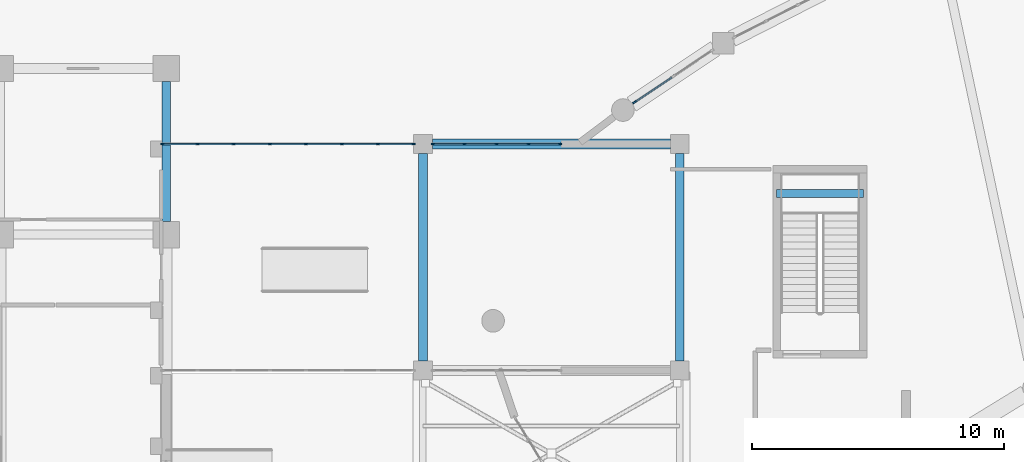
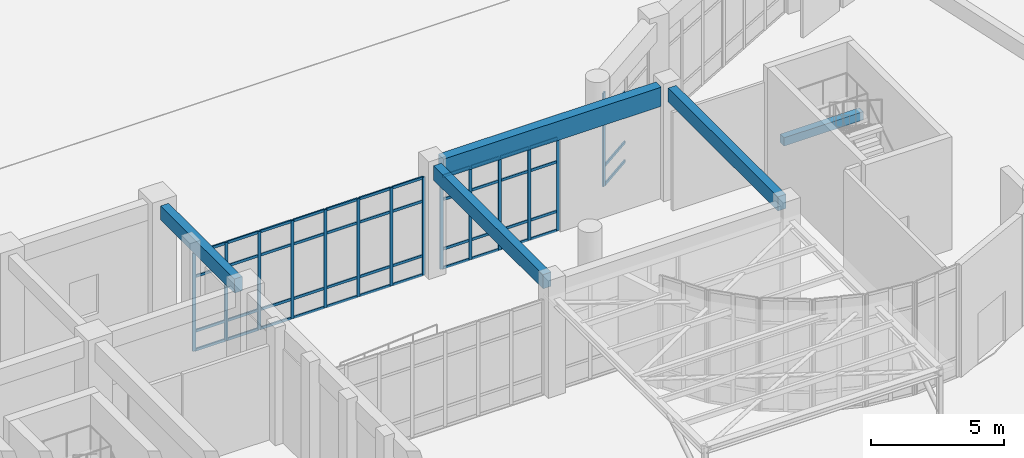
# One storey, part 11 of 70: 61 members, 5 beams, 3 elements without a shape of their own.
"""IFC4 building model written with IfcOpenShell, lengths in metres."""

from ifc_helpers import new_model, si_unit, direction, frame, origin, origin_2d, place, context, subcontext, project, spatial, rectangle, extrude, material, layer, layer_set, material_profile, profile_set, type_object, element, aggregate, save


model = new_model("IFC4")

# Units and contexts
model_context = context("Model", 3, precision=1e-05, world=origin(), true_north=direction((0.0, 1.0)))
body_context = subcontext(model_context, "Body", "Model", "MODEL_VIEW")
ifc_project = project(units=[si_unit("LENGTHUNIT", "METRE"), si_unit("AREAUNIT", "SQUARE_METRE"), si_unit("VOLUMEUNIT", "CUBIC_METRE"), si_unit("PLANEANGLEUNIT", "RADIAN"), si_unit("MASSUNIT", "GRAM", prefix="KILO")], contexts=[model_context])

# Site, building, storey
site_placement = place(None, origin())
site = spatial("IfcSite", under=ifc_project, at=site_placement, CompositionType="ELEMENT")
building_placement = place(site_placement, origin())
building = spatial("IfcBuilding", under=site, at=building_placement, Name="Miralva Faculty of Natural Sciences", CompositionType="ELEMENT")
storey_placement = place(building_placement, origin())
storey = spatial("IfcBuildingStorey", under=building, at=storey_placement, Name="L00", CompositionType="ELEMENT", Elevation=0.0)

# Beams
ifc_material_1 = material(Name="Concrete C40/50", Category="concrete")
ifc_material_profile_1 = material_profile(ifc_material_1, rectangle(XDim=0.35009765625, YDim=0.64990234375, at=origin_2d()), Name="RC 350x650")
ifc_profile_set_1 = profile_set([ifc_material_profile_1], Name="Concrete C40/50")
beam_type_1 = type_object("IfcBeamType", Name="BM-B05", PredefinedType="BEAM", material=ifc_profile_set_1)
beam_1_placement = place(storey_placement, frame((36.0, 23.925048828125, 4.8349609375), z_axis=(0.0, 1.0, 0.0), x_axis=(-1.0, 0.0, 0.0)))
element("IfcBeam", 1, at=beam_1_placement, inside=storey, type_object=beam_type_1, Name="Girder NS L00-160", PredefinedType="BEAM", context=body_context, shape_type="SweptSolid", body=[
    extrude(rectangle(XDim=0.35009765625, YDim=0.64990234375, at=origin_2d()), origin(), (0.0, 0.0, 1.0), 5.550048828125),
])
for number, where, z_axis, x_axis, name in (
    (2, (46.199951171875, 18.375, 4.8349609375), (0.0, 1.0, 0.0), (-1.0, 0.0, 0.0), "Girder NS L00-163"),
    (3, (56.39990234375, 18.375, 4.8349609375), (0.0, 1.0, 0.0), (-1.0, 0.0, 0.0), "Girder NS L00-166"),
):
    element("IfcBeam", number, at=place(storey_placement, frame(where, z_axis=z_axis, x_axis=x_axis)), inside=storey, type_object=beam_type_1, Name=name, PredefinedType="BEAM", context=body_context, shape_type="SweptSolid", body=[
        extrude(rectangle(XDim=0.35009765625, YDim=0.64990234375, at=origin_2d()), origin(), (0.0, 0.0, 1.0), 8.25),
    ])
ifc_material_profile_2 = material_profile(ifc_material_1, rectangle(XDim=0.39990234375, YDim=0.8798828125, at=origin_2d()), Name="RC 400x880")
ifc_profile_set_2 = profile_set([ifc_material_profile_2], Name="Concrete C40/50")
beam_type_2 = type_object("IfcBeamType", Name="BM-BG10", PredefinedType="BEAM", material=ifc_profile_set_2)
beam_2_placement = place(storey_placement, frame((46.574951171875, 27.0, 4.719970703125), z_axis=(1.0, 0.0, 0.0), x_axis=(0.0, 1.0, 0.0)))
element("IfcBeam", 4, at=beam_2_placement, inside=storey, type_object=beam_type_2, Name="Girder EW L00-31", PredefinedType="BEAM", context=body_context, shape_type="SweptSolid", body=[
    extrude(rectangle(XDim=0.39990234375, YDim=0.8798828125, at=origin_2d()), origin(), (0.0, 0.0, 1.0), 9.449951171875),
])
ifc_material_profile_3 = material_profile(ifc_material_1, rectangle(XDim=0.300048828125, YDim=0.3798828125, at=origin_2d()), Name="RC 300x380")
ifc_profile_set_3 = profile_set([ifc_material_profile_3], Name="Concrete C40/50")
beam_type_3 = type_object("IfcBeamType", Name="BM-LND01", PredefinedType="BEAM", material=ifc_profile_set_3)
beam_3_placement = place(storey_placement, frame((60.25, 25.034912109375, 2.320068359375), z_axis=(1.0, 0.0, 0.0), x_axis=(0.0, 1.0, 0.0)))
element("IfcBeam", 5, at=beam_3_placement, inside=storey, type_object=beam_type_3, Name="Stair Core C6 half-landing support beam L00", PredefinedType="BEAM", context=body_context, shape_type="SweptSolid", body=[
    extrude(rectangle(XDim=0.300048828125, YDim=0.3798828125, at=origin_2d()), origin(), (0.0, 0.0, 1.0), 3.449951171875),
])

# Curtain wall, member
ifc_material_2 = material(Name="Laminated solar-control glass", Category="glass")
ifc_layer_1 = layer(ifc_material_2, 0.179931640625, Name="CW-ARC-L00")
ifc_layer_set_1 = layer_set([ifc_layer_1], Name="Laminated solar-control glass")
curtain_wall_type_1 = type_object("IfcCurtainWallType", Name="CW-ARC-L00", PredefinedType="USERDEFINED", material=ifc_layer_set_1)
curtain_wall_1_placement = place(storey_placement, origin())
curtain_wall_1 = element("IfcCurtainWall", 6, at=curtain_wall_1_placement, inside=storey, type_object=curtain_wall_type_1, Name="Curtain wall CW-01 L00-1", ObjectType="UNITISED CURTAIN WALL", PredefinedType="USERDEFINED")
ifc_material_3 = material(Name="Anodised aluminium", Category="aluminium")
ifc_material_profile_4 = material_profile(ifc_material_3, rectangle(XDim=0.06494140625, YDim=0.159912109375, at=origin_2d()), Name="MULLION 65x160")
ifc_profile_set_4 = profile_set([ifc_material_profile_4], Name="Anodised aluminium")
member_type_1 = type_object("IfcMemberType", Name="CW-M02", PredefinedType="MULLION", material=ifc_profile_set_4)
member_1_placement = place(storey_placement, frame((54.608642578125, 28.65966796875, 0.0), z_axis=(0.0, 0.0, 1.0), x_axis=(-0.555563826036, 0.831473893276, 0.0)))
member_1 = element("IfcMember", 7, at=member_1_placement, type_object=member_type_1, Name="CW-01 mullion 1", PredefinedType="MULLION", context=body_context, shape_type="SweptSolid", body=[
    extrude(rectangle(XDim=0.06494140625, YDim=0.159912109375, at=origin_2d()), origin(), (0.0, 0.0, 1.0), 4.304931640625),
])

# Curtain wall, members
ifc_layer_2 = layer(ifc_material_2, 0.179931640625, Name="CW-COM-L01")
ifc_layer_set_2 = layer_set([ifc_layer_2], Name="Laminated solar-control glass")
curtain_wall_type_2 = type_object("IfcCurtainWallType", Name="CW-COM-L01", PredefinedType="USERDEFINED", material=ifc_layer_set_2)
curtain_wall_2_placement = place(storey_placement, origin())
curtain_wall_2 = element("IfcCurtainWall", 8, at=curtain_wall_2_placement, inside=storey, type_object=curtain_wall_type_2, Name="Curtain wall CW-10 L00-285", ObjectType="UNITISED CURTAIN WALL", PredefinedType="USERDEFINED")
ifc_material_profile_5 = material_profile(ifc_material_3, rectangle(XDim=0.06005859375, YDim=0.139892578125, at=origin_2d()), Name="MULLION 60x140")
ifc_profile_set_5 = profile_set([ifc_material_profile_5], Name="Anodised aluminium")
member_type_2 = type_object("IfcMemberType", Name="CW-M03", PredefinedType="MULLION", material=ifc_profile_set_5)
member_2_placement = place(storey_placement, frame((35.844970703125, 27.0, 0.0), z_axis=(0.0, 0.0, 1.0), x_axis=(0.0, 1.0, 0.0)))
member_2 = element("IfcMember", 9, at=member_2_placement, type_object=member_type_2, Name="CW-10 mullion 1", PredefinedType="MULLION", context=body_context, shape_type="SweptSolid", body=[
    extrude(rectangle(XDim=0.06005859375, YDim=0.139892578125, at=origin_2d()), origin(), (0.0, 0.0, 1.0), 4.5048828125),
])
member_3_placement = place(storey_placement, frame((37.247802734375, 27.0, 0.0), z_axis=(0.0, 0.0, 1.0), x_axis=(0.0, 1.0, 0.0)))
member_3 = element("IfcMember", 10, at=member_3_placement, type_object=member_type_2, Name="CW-10 mullion 2", PredefinedType="MULLION", context=body_context, shape_type="SweptSolid", body=[
    extrude(rectangle(XDim=0.06005859375, YDim=0.139892578125, at=origin_2d()), origin(), (0.0, 0.0, 1.0), 4.5048828125),
])
member_4_placement = place(storey_placement, frame((38.6806640625, 27.0, 0.0), z_axis=(0.0, 0.0, 1.0), x_axis=(0.0, 1.0, 0.0)))
member_4 = element("IfcMember", 11, at=member_4_placement, type_object=member_type_2, Name="CW-10 mullion 3", PredefinedType="MULLION", context=body_context, shape_type="SweptSolid", body=[
    extrude(rectangle(XDim=0.06005859375, YDim=0.139892578125, at=origin_2d()), origin(), (0.0, 0.0, 1.0), 4.5048828125),
])
member_5_placement = place(storey_placement, frame((40.113525390625, 27.0, 0.0), z_axis=(0.0, 0.0, 1.0), x_axis=(0.0, 1.0, 0.0)))
member_5 = element("IfcMember", 12, at=member_5_placement, type_object=member_type_2, Name="CW-10 mullion 4", PredefinedType="MULLION", context=body_context, shape_type="SweptSolid", body=[
    extrude(rectangle(XDim=0.06005859375, YDim=0.139892578125, at=origin_2d()), origin(), (0.0, 0.0, 1.0), 4.5048828125),
])
member_6_placement = place(storey_placement, frame((41.54638671875, 27.0, 0.0), z_axis=(0.0, 0.0, 1.0), x_axis=(0.0, 1.0, 0.0)))
member_6 = element("IfcMember", 13, at=member_6_placement, type_object=member_type_2, Name="CW-10 mullion 5", PredefinedType="MULLION", context=body_context, shape_type="SweptSolid", body=[
    extrude(rectangle(XDim=0.06005859375, YDim=0.139892578125, at=origin_2d()), origin(), (0.0, 0.0, 1.0), 4.5048828125),
])
member_7_placement = place(storey_placement, frame((42.979248046875, 27.0, 0.0), z_axis=(0.0, 0.0, 1.0), x_axis=(0.0, 1.0, 0.0)))
member_7 = element("IfcMember", 14, at=member_7_placement, type_object=member_type_2, Name="CW-10 mullion 6", PredefinedType="MULLION", context=body_context, shape_type="SweptSolid", body=[
    extrude(rectangle(XDim=0.06005859375, YDim=0.139892578125, at=origin_2d()), origin(), (0.0, 0.0, 1.0), 4.5048828125),
])
member_8_placement = place(storey_placement, frame((44.412109375, 27.0, 0.0), z_axis=(0.0, 0.0, 1.0), x_axis=(0.0, 1.0, 0.0)))
member_8 = element("IfcMember", 15, at=member_8_placement, type_object=member_type_2, Name="CW-10 mullion 7", PredefinedType="MULLION", context=body_context, shape_type="SweptSolid", body=[
    extrude(rectangle(XDim=0.06005859375, YDim=0.139892578125, at=origin_2d()), origin(), (0.0, 0.0, 1.0), 4.5048828125),
])
member_9_placement = place(storey_placement, frame((45.81494140625, 27.0, 0.0), z_axis=(0.0, 0.0, 1.0), x_axis=(0.0, 1.0, 0.0)))
member_9 = element("IfcMember", 16, at=member_9_placement, type_object=member_type_2, Name="CW-10 mullion 8", PredefinedType="MULLION", context=body_context, shape_type="SweptSolid", body=[
    extrude(rectangle(XDim=0.06005859375, YDim=0.139892578125, at=origin_2d()), origin(), (0.0, 0.0, 1.0), 4.5048828125),
])

curtain_wall_3_placement = place(storey_placement, origin())
curtain_wall_3 = element("IfcCurtainWall", 17, at=curtain_wall_3_placement, inside=storey, type_object=curtain_wall_type_2, Name="Curtain wall CW-10 L00-286", ObjectType="UNITISED CURTAIN WALL", PredefinedType="USERDEFINED")
member_10_placement = place(storey_placement, frame((46.594970703125, 27.0, 0.0), z_axis=(0.0, 0.0, 1.0), x_axis=(0.0, 1.0, 0.0)))
member_10 = element("IfcMember", 18, at=member_10_placement, type_object=member_type_2, Name="CW-10 mullion 1", PredefinedType="MULLION", context=body_context, shape_type="SweptSolid", body=[
    extrude(rectangle(XDim=0.06005859375, YDim=0.139892578125, at=origin_2d()), origin(), (0.0, 0.0, 1.0), 4.27490234375),
])
member_11_placement = place(storey_placement, frame((47.84375, 27.0, 0.0), z_axis=(0.0, 0.0, 1.0), x_axis=(0.0, 1.0, 0.0)))
member_11 = element("IfcMember", 19, at=member_11_placement, type_object=member_type_2, Name="CW-10 mullion 2", PredefinedType="MULLION", context=body_context, shape_type="SweptSolid", body=[
    extrude(rectangle(XDim=0.06005859375, YDim=0.139892578125, at=origin_2d()), origin(), (0.0, 0.0, 1.0), 4.27490234375),
])
member_12_placement = place(storey_placement, frame((49.12255859375, 27.0, 0.0), z_axis=(0.0, 0.0, 1.0), x_axis=(0.0, 1.0, 0.0)))
member_12 = element("IfcMember", 20, at=member_12_placement, type_object=member_type_2, Name="CW-10 mullion 3", PredefinedType="MULLION", context=body_context, shape_type="SweptSolid", body=[
    extrude(rectangle(XDim=0.06005859375, YDim=0.139892578125, at=origin_2d()), origin(), (0.0, 0.0, 1.0), 4.27490234375),
])
member_13_placement = place(storey_placement, frame((50.4013671875, 27.0, 0.0), z_axis=(0.0, 0.0, 1.0), x_axis=(0.0, 1.0, 0.0)))
member_13 = element("IfcMember", 21, at=member_13_placement, type_object=member_type_2, Name="CW-10 mullion 4", PredefinedType="MULLION", context=body_context, shape_type="SweptSolid", body=[
    extrude(rectangle(XDim=0.06005859375, YDim=0.139892578125, at=origin_2d()), origin(), (0.0, 0.0, 1.0), 4.27490234375),
])
member_14_placement = place(storey_placement, frame((51.64990234375, 27.0, 0.0), z_axis=(0.0, 0.0, 1.0), x_axis=(0.0, 1.0, 0.0)))
member_14 = element("IfcMember", 22, at=member_14_placement, type_object=member_type_2, Name="CW-10 mullion 5", PredefinedType="MULLION", context=body_context, shape_type="SweptSolid", body=[
    extrude(rectangle(XDim=0.06005859375, YDim=0.139892578125, at=origin_2d()), origin(), (0.0, 0.0, 1.0), 4.27490234375),
])

# Member
ifc_material_profile_6 = material_profile(ifc_material_3, rectangle(XDim=0.06005859375, YDim=0.1201171875, at=origin_2d()), Name="TRANSOM 60x120")
ifc_profile_set_6 = profile_set([ifc_material_profile_6], Name="Anodised aluminium")
member_type_3 = type_object("IfcMemberType", Name="CW-T02", PredefinedType="USERDEFINED", material=ifc_profile_set_6)
member_15_placement = place(storey_placement, frame((54.6357421875, 28.677734375, 0.030029296875), z_axis=(0.8314669175, 0.555574266056, 0.0), x_axis=(-0.555574266056, 0.8314669175, 0.0)))
member_15 = element("IfcMember", 23, at=member_15_placement, type_object=member_type_3, Name="CW-01 transom 1.1", ObjectType="TRANSOM", PredefinedType="USERDEFINED", context=body_context, shape_type="SweptSolid", body=[
    extrude(rectangle(XDim=0.06005859375, YDim=0.1201171875, at=origin_2d()), origin(), (0.0, 0.0, 1.0), 1.73974609375),
])

member_16_placement = place(storey_placement, frame((54.6357421875, 28.677734375, 0.89990234375), z_axis=(0.8314669175, 0.555574266056, 0.0), x_axis=(-0.555574266056, 0.8314669175, 0.0)))
member_16 = element("IfcMember", 24, at=member_16_placement, type_object=member_type_3, Name="CW-01 transom 1.2", ObjectType="TRANSOM", PredefinedType="USERDEFINED", context=body_context, shape_type="SweptSolid", body=[
    extrude(rectangle(XDim=0.06005859375, YDim=0.1201171875, at=origin_2d()), origin(), (0.0, 0.0, 1.0), 1.73974609375),
])

member_17_placement = place(storey_placement, frame((54.6357421875, 28.677734375, 3.205078125), z_axis=(0.8314669175, 0.555574266056, 0.0), x_axis=(-0.555574266056, 0.8314669175, 0.0)))
member_17 = element("IfcMember", 25, at=member_17_placement, type_object=member_type_3, Name="CW-01 transom 1.3", ObjectType="TRANSOM", PredefinedType="USERDEFINED", context=body_context, shape_type="SweptSolid", body=[
    extrude(rectangle(XDim=0.06005859375, YDim=0.1201171875, at=origin_2d()), origin(), (0.0, 0.0, 1.0), 1.73974609375),
])

aggregate(curtain_wall_1, [member_1, member_15, member_16, member_17])

member_18_placement = place(storey_placement, frame((35.875, 27.0, 0.030029296875), z_axis=(1.0, 0.0, 0.0), x_axis=(0.0, 1.0, 0.0)))
member_18 = element("IfcMember", 26, at=member_18_placement, type_object=member_type_3, Name="CW-10 transom 1.1", ObjectType="TRANSOM", PredefinedType="USERDEFINED", context=body_context, shape_type="SweptSolid", body=[
    extrude(rectangle(XDim=0.06005859375, YDim=0.1201171875, at=origin_2d()), origin(), (0.0, 0.0, 1.0), 1.3427734375),
])

member_19_placement = place(storey_placement, frame((35.875, 27.0, 0.89990234375), z_axis=(1.0, 0.0, 0.0), x_axis=(0.0, 1.0, 0.0)))
member_19 = element("IfcMember", 27, at=member_19_placement, type_object=member_type_3, Name="CW-10 transom 1.2", ObjectType="TRANSOM", PredefinedType="USERDEFINED", context=body_context, shape_type="SweptSolid", body=[
    extrude(rectangle(XDim=0.06005859375, YDim=0.1201171875, at=origin_2d()), origin(), (0.0, 0.0, 1.0), 1.3427734375),
])

member_20_placement = place(storey_placement, frame((35.875, 27.0, 3.405029296875), z_axis=(1.0, 0.0, 0.0), x_axis=(0.0, 1.0, 0.0)))
member_20 = element("IfcMember", 28, at=member_20_placement, type_object=member_type_3, Name="CW-10 transom 1.3", ObjectType="TRANSOM", PredefinedType="USERDEFINED", context=body_context, shape_type="SweptSolid", body=[
    extrude(rectangle(XDim=0.06005859375, YDim=0.1201171875, at=origin_2d()), origin(), (0.0, 0.0, 1.0), 1.3427734375),
])

member_21_placement = place(storey_placement, frame((35.875, 27.0, 4.47509765625), z_axis=(1.0, 0.0, 0.0), x_axis=(0.0, 1.0, 0.0)))
member_21 = element("IfcMember", 29, at=member_21_placement, type_object=member_type_3, Name="CW-10 transom 1.4", ObjectType="TRANSOM", PredefinedType="USERDEFINED", context=body_context, shape_type="SweptSolid", body=[
    extrude(rectangle(XDim=0.06005859375, YDim=0.1201171875, at=origin_2d()), origin(), (0.0, 0.0, 1.0), 1.3427734375),
])

member_22_placement = place(storey_placement, frame((37.27783203125, 27.0, 0.030029296875), z_axis=(1.0, 0.0, 0.0), x_axis=(0.0, 1.0, 0.0)))
member_22 = element("IfcMember", 30, at=member_22_placement, type_object=member_type_3, Name="CW-10 transom 2.1", ObjectType="TRANSOM", PredefinedType="USERDEFINED", context=body_context, shape_type="SweptSolid", body=[
    extrude(rectangle(XDim=0.06005859375, YDim=0.1201171875, at=origin_2d()), origin(), (0.0, 0.0, 1.0), 1.372802734375),
])

member_23_placement = place(storey_placement, frame((37.27783203125, 27.0, 0.89990234375), z_axis=(1.0, 0.0, 0.0), x_axis=(0.0, 1.0, 0.0)))
member_23 = element("IfcMember", 31, at=member_23_placement, type_object=member_type_3, Name="CW-10 transom 2.2", ObjectType="TRANSOM", PredefinedType="USERDEFINED", context=body_context, shape_type="SweptSolid", body=[
    extrude(rectangle(XDim=0.06005859375, YDim=0.1201171875, at=origin_2d()), origin(), (0.0, 0.0, 1.0), 1.372802734375),
])

member_24_placement = place(storey_placement, frame((37.27783203125, 27.0, 3.405029296875), z_axis=(1.0, 0.0, 0.0), x_axis=(0.0, 1.0, 0.0)))
member_24 = element("IfcMember", 32, at=member_24_placement, type_object=member_type_3, Name="CW-10 transom 2.3", ObjectType="TRANSOM", PredefinedType="USERDEFINED", context=body_context, shape_type="SweptSolid", body=[
    extrude(rectangle(XDim=0.06005859375, YDim=0.1201171875, at=origin_2d()), origin(), (0.0, 0.0, 1.0), 1.372802734375),
])

member_25_placement = place(storey_placement, frame((37.27783203125, 27.0, 4.47509765625), z_axis=(1.0, 0.0, 0.0), x_axis=(0.0, 1.0, 0.0)))
member_25 = element("IfcMember", 33, at=member_25_placement, type_object=member_type_3, Name="CW-10 transom 2.4", ObjectType="TRANSOM", PredefinedType="USERDEFINED", context=body_context, shape_type="SweptSolid", body=[
    extrude(rectangle(XDim=0.06005859375, YDim=0.1201171875, at=origin_2d()), origin(), (0.0, 0.0, 1.0), 1.372802734375),
])

member_26_placement = place(storey_placement, frame((38.710693359375, 27.0, 0.030029296875), z_axis=(1.0, 0.0, 0.0), x_axis=(0.0, 1.0, 0.0)))
member_26 = element("IfcMember", 34, at=member_26_placement, type_object=member_type_3, Name="CW-10 transom 3.1", ObjectType="TRANSOM", PredefinedType="USERDEFINED", context=body_context, shape_type="SweptSolid", body=[
    extrude(rectangle(XDim=0.06005859375, YDim=0.1201171875, at=origin_2d()), origin(), (0.0, 0.0, 1.0), 1.372802734375),
])

member_27_placement = place(storey_placement, frame((38.710693359375, 27.0, 0.89990234375), z_axis=(1.0, 0.0, 0.0), x_axis=(0.0, 1.0, 0.0)))
member_27 = element("IfcMember", 35, at=member_27_placement, type_object=member_type_3, Name="CW-10 transom 3.2", ObjectType="TRANSOM", PredefinedType="USERDEFINED", context=body_context, shape_type="SweptSolid", body=[
    extrude(rectangle(XDim=0.06005859375, YDim=0.1201171875, at=origin_2d()), origin(), (0.0, 0.0, 1.0), 1.372802734375),
])

member_28_placement = place(storey_placement, frame((38.710693359375, 27.0, 3.405029296875), z_axis=(1.0, 0.0, 0.0), x_axis=(0.0, 1.0, 0.0)))
member_28 = element("IfcMember", 36, at=member_28_placement, type_object=member_type_3, Name="CW-10 transom 3.3", ObjectType="TRANSOM", PredefinedType="USERDEFINED", context=body_context, shape_type="SweptSolid", body=[
    extrude(rectangle(XDim=0.06005859375, YDim=0.1201171875, at=origin_2d()), origin(), (0.0, 0.0, 1.0), 1.372802734375),
])

member_29_placement = place(storey_placement, frame((38.710693359375, 27.0, 4.47509765625), z_axis=(1.0, 0.0, 0.0), x_axis=(0.0, 1.0, 0.0)))
member_29 = element("IfcMember", 37, at=member_29_placement, type_object=member_type_3, Name="CW-10 transom 3.4", ObjectType="TRANSOM", PredefinedType="USERDEFINED", context=body_context, shape_type="SweptSolid", body=[
    extrude(rectangle(XDim=0.06005859375, YDim=0.1201171875, at=origin_2d()), origin(), (0.0, 0.0, 1.0), 1.372802734375),
])

member_30_placement = place(storey_placement, frame((40.1435546875, 27.0, 0.030029296875), z_axis=(1.0, 0.0, 0.0), x_axis=(0.0, 1.0, 0.0)))
member_30 = element("IfcMember", 38, at=member_30_placement, type_object=member_type_3, Name="CW-10 transom 4.1", ObjectType="TRANSOM", PredefinedType="USERDEFINED", context=body_context, shape_type="SweptSolid", body=[
    extrude(rectangle(XDim=0.06005859375, YDim=0.1201171875, at=origin_2d()), origin(), (0.0, 0.0, 1.0), 1.372802734375),
])

member_31_placement = place(storey_placement, frame((40.1435546875, 27.0, 0.89990234375), z_axis=(1.0, 0.0, 0.0), x_axis=(0.0, 1.0, 0.0)))
member_31 = element("IfcMember", 39, at=member_31_placement, type_object=member_type_3, Name="CW-10 transom 4.2", ObjectType="TRANSOM", PredefinedType="USERDEFINED", context=body_context, shape_type="SweptSolid", body=[
    extrude(rectangle(XDim=0.06005859375, YDim=0.1201171875, at=origin_2d()), origin(), (0.0, 0.0, 1.0), 1.372802734375),
])

member_32_placement = place(storey_placement, frame((40.1435546875, 27.0, 3.405029296875), z_axis=(1.0, 0.0, 0.0), x_axis=(0.0, 1.0, 0.0)))
member_32 = element("IfcMember", 40, at=member_32_placement, type_object=member_type_3, Name="CW-10 transom 4.3", ObjectType="TRANSOM", PredefinedType="USERDEFINED", context=body_context, shape_type="SweptSolid", body=[
    extrude(rectangle(XDim=0.06005859375, YDim=0.1201171875, at=origin_2d()), origin(), (0.0, 0.0, 1.0), 1.372802734375),
])

member_33_placement = place(storey_placement, frame((40.1435546875, 27.0, 4.47509765625), z_axis=(1.0, 0.0, 0.0), x_axis=(0.0, 1.0, 0.0)))
member_33 = element("IfcMember", 41, at=member_33_placement, type_object=member_type_3, Name="CW-10 transom 4.4", ObjectType="TRANSOM", PredefinedType="USERDEFINED", context=body_context, shape_type="SweptSolid", body=[
    extrude(rectangle(XDim=0.06005859375, YDim=0.1201171875, at=origin_2d()), origin(), (0.0, 0.0, 1.0), 1.372802734375),
])

member_34_placement = place(storey_placement, frame((41.576416015625, 27.0, 0.030029296875), z_axis=(1.0, 0.0, 0.0), x_axis=(0.0, 1.0, 0.0)))
member_34 = element("IfcMember", 42, at=member_34_placement, type_object=member_type_3, Name="CW-10 transom 5.1", ObjectType="TRANSOM", PredefinedType="USERDEFINED", context=body_context, shape_type="SweptSolid", body=[
    extrude(rectangle(XDim=0.06005859375, YDim=0.1201171875, at=origin_2d()), origin(), (0.0, 0.0, 1.0), 1.372802734375),
])

member_35_placement = place(storey_placement, frame((41.576416015625, 27.0, 0.89990234375), z_axis=(1.0, 0.0, 0.0), x_axis=(0.0, 1.0, 0.0)))
member_35 = element("IfcMember", 43, at=member_35_placement, type_object=member_type_3, Name="CW-10 transom 5.2", ObjectType="TRANSOM", PredefinedType="USERDEFINED", context=body_context, shape_type="SweptSolid", body=[
    extrude(rectangle(XDim=0.06005859375, YDim=0.1201171875, at=origin_2d()), origin(), (0.0, 0.0, 1.0), 1.372802734375),
])

member_36_placement = place(storey_placement, frame((41.576416015625, 27.0, 3.405029296875), z_axis=(1.0, 0.0, 0.0), x_axis=(0.0, 1.0, 0.0)))
member_36 = element("IfcMember", 44, at=member_36_placement, type_object=member_type_3, Name="CW-10 transom 5.3", ObjectType="TRANSOM", PredefinedType="USERDEFINED", context=body_context, shape_type="SweptSolid", body=[
    extrude(rectangle(XDim=0.06005859375, YDim=0.1201171875, at=origin_2d()), origin(), (0.0, 0.0, 1.0), 1.372802734375),
])

member_37_placement = place(storey_placement, frame((41.576416015625, 27.0, 4.47509765625), z_axis=(1.0, 0.0, 0.0), x_axis=(0.0, 1.0, 0.0)))
member_37 = element("IfcMember", 45, at=member_37_placement, type_object=member_type_3, Name="CW-10 transom 5.4", ObjectType="TRANSOM", PredefinedType="USERDEFINED", context=body_context, shape_type="SweptSolid", body=[
    extrude(rectangle(XDim=0.06005859375, YDim=0.1201171875, at=origin_2d()), origin(), (0.0, 0.0, 1.0), 1.372802734375),
])

member_38_placement = place(storey_placement, frame((43.00927734375, 27.0, 0.030029296875), z_axis=(1.0, 0.0, 0.0), x_axis=(0.0, 1.0, 0.0)))
member_38 = element("IfcMember", 46, at=member_38_placement, type_object=member_type_3, Name="CW-10 transom 6.1", ObjectType="TRANSOM", PredefinedType="USERDEFINED", context=body_context, shape_type="SweptSolid", body=[
    extrude(rectangle(XDim=0.06005859375, YDim=0.1201171875, at=origin_2d()), origin(), (0.0, 0.0, 1.0), 1.372802734375),
])

member_39_placement = place(storey_placement, frame((43.00927734375, 27.0, 0.89990234375), z_axis=(1.0, 0.0, 0.0), x_axis=(0.0, 1.0, 0.0)))
member_39 = element("IfcMember", 47, at=member_39_placement, type_object=member_type_3, Name="CW-10 transom 6.2", ObjectType="TRANSOM", PredefinedType="USERDEFINED", context=body_context, shape_type="SweptSolid", body=[
    extrude(rectangle(XDim=0.06005859375, YDim=0.1201171875, at=origin_2d()), origin(), (0.0, 0.0, 1.0), 1.372802734375),
])

member_40_placement = place(storey_placement, frame((43.00927734375, 27.0, 3.405029296875), z_axis=(1.0, 0.0, 0.0), x_axis=(0.0, 1.0, 0.0)))
member_40 = element("IfcMember", 48, at=member_40_placement, type_object=member_type_3, Name="CW-10 transom 6.3", ObjectType="TRANSOM", PredefinedType="USERDEFINED", context=body_context, shape_type="SweptSolid", body=[
    extrude(rectangle(XDim=0.06005859375, YDim=0.1201171875, at=origin_2d()), origin(), (0.0, 0.0, 1.0), 1.372802734375),
])

member_41_placement = place(storey_placement, frame((43.00927734375, 27.0, 4.47509765625), z_axis=(1.0, 0.0, 0.0), x_axis=(0.0, 1.0, 0.0)))
member_41 = element("IfcMember", 49, at=member_41_placement, type_object=member_type_3, Name="CW-10 transom 6.4", ObjectType="TRANSOM", PredefinedType="USERDEFINED", context=body_context, shape_type="SweptSolid", body=[
    extrude(rectangle(XDim=0.06005859375, YDim=0.1201171875, at=origin_2d()), origin(), (0.0, 0.0, 1.0), 1.372802734375),
])

member_42_placement = place(storey_placement, frame((44.442138671875, 27.0, 0.030029296875), z_axis=(1.0, 0.0, 0.0), x_axis=(0.0, 1.0, 0.0)))
member_42 = element("IfcMember", 50, at=member_42_placement, type_object=member_type_3, Name="CW-10 transom 7.1", ObjectType="TRANSOM", PredefinedType="USERDEFINED", context=body_context, shape_type="SweptSolid", body=[
    extrude(rectangle(XDim=0.06005859375, YDim=0.1201171875, at=origin_2d()), origin(), (0.0, 0.0, 1.0), 1.3427734375),
])

member_43_placement = place(storey_placement, frame((44.442138671875, 27.0, 0.89990234375), z_axis=(1.0, 0.0, 0.0), x_axis=(0.0, 1.0, 0.0)))
member_43 = element("IfcMember", 51, at=member_43_placement, type_object=member_type_3, Name="CW-10 transom 7.2", ObjectType="TRANSOM", PredefinedType="USERDEFINED", context=body_context, shape_type="SweptSolid", body=[
    extrude(rectangle(XDim=0.06005859375, YDim=0.1201171875, at=origin_2d()), origin(), (0.0, 0.0, 1.0), 1.3427734375),
])

member_44_placement = place(storey_placement, frame((44.442138671875, 27.0, 3.405029296875), z_axis=(1.0, 0.0, 0.0), x_axis=(0.0, 1.0, 0.0)))
member_44 = element("IfcMember", 52, at=member_44_placement, type_object=member_type_3, Name="CW-10 transom 7.3", ObjectType="TRANSOM", PredefinedType="USERDEFINED", context=body_context, shape_type="SweptSolid", body=[
    extrude(rectangle(XDim=0.06005859375, YDim=0.1201171875, at=origin_2d()), origin(), (0.0, 0.0, 1.0), 1.3427734375),
])

member_45_placement = place(storey_placement, frame((44.442138671875, 27.0, 4.47509765625), z_axis=(1.0, 0.0, 0.0), x_axis=(0.0, 1.0, 0.0)))
member_45 = element("IfcMember", 53, at=member_45_placement, type_object=member_type_3, Name="CW-10 transom 7.4", ObjectType="TRANSOM", PredefinedType="USERDEFINED", context=body_context, shape_type="SweptSolid", body=[
    extrude(rectangle(XDim=0.06005859375, YDim=0.1201171875, at=origin_2d()), origin(), (0.0, 0.0, 1.0), 1.3427734375),
])

aggregate(curtain_wall_2, [member_2, member_3, member_4, member_5, member_6, member_7, member_8, member_9, member_18, member_19, member_20, member_21, member_22, member_23, member_24, member_25, member_26, member_27, member_28, member_29, member_30, member_31, member_32, member_33, member_34, member_35, member_36, member_37, member_38, member_39, member_40, member_41, member_42, member_43, member_44, member_45])

member_46_placement = place(storey_placement, frame((46.625, 27.0, 0.030029296875), z_axis=(1.0, 0.0, 0.0), x_axis=(0.0, 1.0, 0.0)))
member_46 = element("IfcMember", 54, at=member_46_placement, type_object=member_type_3, Name="CW-10 transom 1.1", ObjectType="TRANSOM", PredefinedType="USERDEFINED", context=body_context, shape_type="SweptSolid", body=[
    extrude(rectangle(XDim=0.06005859375, YDim=0.1201171875, at=origin_2d()), origin(), (0.0, 0.0, 1.0), 1.188720703125),
])

member_47_placement = place(storey_placement, frame((46.625, 27.0, 0.89990234375), z_axis=(1.0, 0.0, 0.0), x_axis=(0.0, 1.0, 0.0)))
member_47 = element("IfcMember", 55, at=member_47_placement, type_object=member_type_3, Name="CW-10 transom 1.2", ObjectType="TRANSOM", PredefinedType="USERDEFINED", context=body_context, shape_type="SweptSolid", body=[
    extrude(rectangle(XDim=0.06005859375, YDim=0.1201171875, at=origin_2d()), origin(), (0.0, 0.0, 1.0), 1.188720703125),
])

member_48_placement = place(storey_placement, frame((46.625, 27.0, 3.175048828125), z_axis=(1.0, 0.0, 0.0), x_axis=(0.0, 1.0, 0.0)))
member_48 = element("IfcMember", 56, at=member_48_placement, type_object=member_type_3, Name="CW-10 transom 1.3", ObjectType="TRANSOM", PredefinedType="USERDEFINED", context=body_context, shape_type="SweptSolid", body=[
    extrude(rectangle(XDim=0.06005859375, YDim=0.1201171875, at=origin_2d()), origin(), (0.0, 0.0, 1.0), 1.188720703125),
])

member_49_placement = place(storey_placement, frame((46.625, 27.0, 4.2451171875), z_axis=(1.0, 0.0, 0.0), x_axis=(0.0, 1.0, 0.0)))
member_49 = element("IfcMember", 57, at=member_49_placement, type_object=member_type_3, Name="CW-10 transom 1.4", ObjectType="TRANSOM", PredefinedType="USERDEFINED", context=body_context, shape_type="SweptSolid", body=[
    extrude(rectangle(XDim=0.06005859375, YDim=0.1201171875, at=origin_2d()), origin(), (0.0, 0.0, 1.0), 1.188720703125),
])

member_50_placement = place(storey_placement, frame((47.873779296875, 27.0, 0.030029296875), z_axis=(1.0, 0.0, 0.0), x_axis=(0.0, 1.0, 0.0)))
member_50 = element("IfcMember", 58, at=member_50_placement, type_object=member_type_3, Name="CW-10 transom 2.1", ObjectType="TRANSOM", PredefinedType="USERDEFINED", context=body_context, shape_type="SweptSolid", body=[
    extrude(rectangle(XDim=0.06005859375, YDim=0.1201171875, at=origin_2d()), origin(), (0.0, 0.0, 1.0), 1.21875),
])

member_51_placement = place(storey_placement, frame((47.873779296875, 27.0, 0.89990234375), z_axis=(1.0, 0.0, 0.0), x_axis=(0.0, 1.0, 0.0)))
member_51 = element("IfcMember", 59, at=member_51_placement, type_object=member_type_3, Name="CW-10 transom 2.2", ObjectType="TRANSOM", PredefinedType="USERDEFINED", context=body_context, shape_type="SweptSolid", body=[
    extrude(rectangle(XDim=0.06005859375, YDim=0.1201171875, at=origin_2d()), origin(), (0.0, 0.0, 1.0), 1.21875),
])

member_52_placement = place(storey_placement, frame((47.873779296875, 27.0, 3.175048828125), z_axis=(1.0, 0.0, 0.0), x_axis=(0.0, 1.0, 0.0)))
member_52 = element("IfcMember", 60, at=member_52_placement, type_object=member_type_3, Name="CW-10 transom 2.3", ObjectType="TRANSOM", PredefinedType="USERDEFINED", context=body_context, shape_type="SweptSolid", body=[
    extrude(rectangle(XDim=0.06005859375, YDim=0.1201171875, at=origin_2d()), origin(), (0.0, 0.0, 1.0), 1.21875),
])

member_53_placement = place(storey_placement, frame((47.873779296875, 27.0, 4.2451171875), z_axis=(1.0, 0.0, 0.0), x_axis=(0.0, 1.0, 0.0)))
member_53 = element("IfcMember", 61, at=member_53_placement, type_object=member_type_3, Name="CW-10 transom 2.4", ObjectType="TRANSOM", PredefinedType="USERDEFINED", context=body_context, shape_type="SweptSolid", body=[
    extrude(rectangle(XDim=0.06005859375, YDim=0.1201171875, at=origin_2d()), origin(), (0.0, 0.0, 1.0), 1.21875),
])

member_54_placement = place(storey_placement, frame((49.152587890625, 27.0, 0.030029296875), z_axis=(1.0, 0.0, 0.0), x_axis=(0.0, 1.0, 0.0)))
member_54 = element("IfcMember", 62, at=member_54_placement, type_object=member_type_3, Name="CW-10 transom 3.1", ObjectType="TRANSOM", PredefinedType="USERDEFINED", context=body_context, shape_type="SweptSolid", body=[
    extrude(rectangle(XDim=0.06005859375, YDim=0.1201171875, at=origin_2d()), origin(), (0.0, 0.0, 1.0), 1.21875),
])

member_55_placement = place(storey_placement, frame((49.152587890625, 27.0, 0.89990234375), z_axis=(1.0, 0.0, 0.0), x_axis=(0.0, 1.0, 0.0)))
member_55 = element("IfcMember", 63, at=member_55_placement, type_object=member_type_3, Name="CW-10 transom 3.2", ObjectType="TRANSOM", PredefinedType="USERDEFINED", context=body_context, shape_type="SweptSolid", body=[
    extrude(rectangle(XDim=0.06005859375, YDim=0.1201171875, at=origin_2d()), origin(), (0.0, 0.0, 1.0), 1.21875),
])

member_56_placement = place(storey_placement, frame((49.152587890625, 27.0, 3.175048828125), z_axis=(1.0, 0.0, 0.0), x_axis=(0.0, 1.0, 0.0)))
member_56 = element("IfcMember", 64, at=member_56_placement, type_object=member_type_3, Name="CW-10 transom 3.3", ObjectType="TRANSOM", PredefinedType="USERDEFINED", context=body_context, shape_type="SweptSolid", body=[
    extrude(rectangle(XDim=0.06005859375, YDim=0.1201171875, at=origin_2d()), origin(), (0.0, 0.0, 1.0), 1.21875),
])

member_57_placement = place(storey_placement, frame((49.152587890625, 27.0, 4.2451171875), z_axis=(1.0, 0.0, 0.0), x_axis=(0.0, 1.0, 0.0)))
member_57 = element("IfcMember", 65, at=member_57_placement, type_object=member_type_3, Name="CW-10 transom 3.4", ObjectType="TRANSOM", PredefinedType="USERDEFINED", context=body_context, shape_type="SweptSolid", body=[
    extrude(rectangle(XDim=0.06005859375, YDim=0.1201171875, at=origin_2d()), origin(), (0.0, 0.0, 1.0), 1.21875),
])

member_58_placement = place(storey_placement, frame((50.43115234375, 27.0, 0.030029296875), z_axis=(1.0, 0.0, 0.0), x_axis=(0.0, 1.0, 0.0)))
member_58 = element("IfcMember", 66, at=member_58_placement, type_object=member_type_3, Name="CW-10 transom 4.1", ObjectType="TRANSOM", PredefinedType="USERDEFINED", context=body_context, shape_type="SweptSolid", body=[
    extrude(rectangle(XDim=0.06005859375, YDim=0.1201171875, at=origin_2d()), origin(), (0.0, 0.0, 1.0), 1.18896484375),
])

member_59_placement = place(storey_placement, frame((50.43115234375, 27.0, 0.89990234375), z_axis=(1.0, 0.0, 0.0), x_axis=(0.0, 1.0, 0.0)))
member_59 = element("IfcMember", 67, at=member_59_placement, type_object=member_type_3, Name="CW-10 transom 4.2", ObjectType="TRANSOM", PredefinedType="USERDEFINED", context=body_context, shape_type="SweptSolid", body=[
    extrude(rectangle(XDim=0.06005859375, YDim=0.1201171875, at=origin_2d()), origin(), (0.0, 0.0, 1.0), 1.18896484375),
])

member_60_placement = place(storey_placement, frame((50.43115234375, 27.0, 3.175048828125), z_axis=(1.0, 0.0, 0.0), x_axis=(0.0, 1.0, 0.0)))
member_60 = element("IfcMember", 68, at=member_60_placement, type_object=member_type_3, Name="CW-10 transom 4.3", ObjectType="TRANSOM", PredefinedType="USERDEFINED", context=body_context, shape_type="SweptSolid", body=[
    extrude(rectangle(XDim=0.06005859375, YDim=0.1201171875, at=origin_2d()), origin(), (0.0, 0.0, 1.0), 1.18896484375),
])

member_61_placement = place(storey_placement, frame((50.43115234375, 27.0, 4.2451171875), z_axis=(1.0, 0.0, 0.0), x_axis=(0.0, 1.0, 0.0)))
member_61 = element("IfcMember", 69, at=member_61_placement, type_object=member_type_3, Name="CW-10 transom 4.4", ObjectType="TRANSOM", PredefinedType="USERDEFINED", context=body_context, shape_type="SweptSolid", body=[
    extrude(rectangle(XDim=0.06005859375, YDim=0.1201171875, at=origin_2d()), origin(), (0.0, 0.0, 1.0), 1.18896484375),
])

aggregate(curtain_wall_3, [member_10, member_11, member_12, member_13, member_14, member_46, member_47, member_48, member_49, member_50, member_51, member_52, member_53, member_54, member_55, member_56, member_57, member_58, member_59, member_60, member_61])

save(model, "model.ifc")
